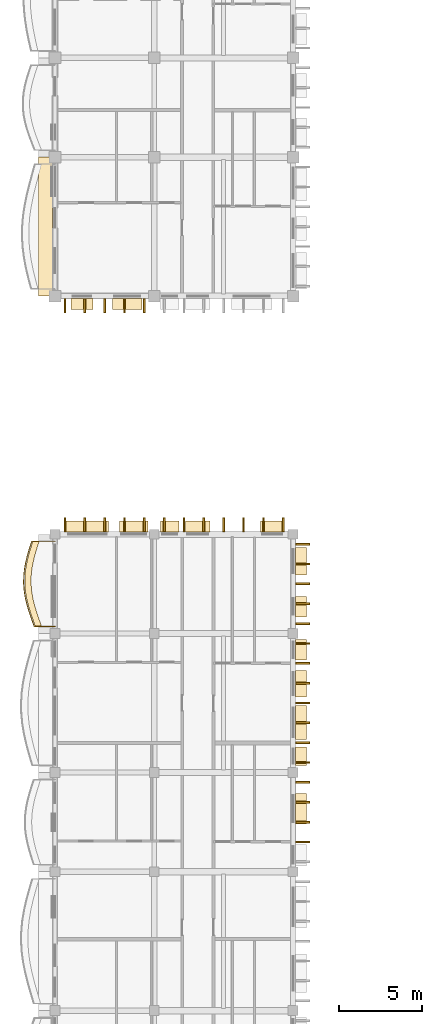
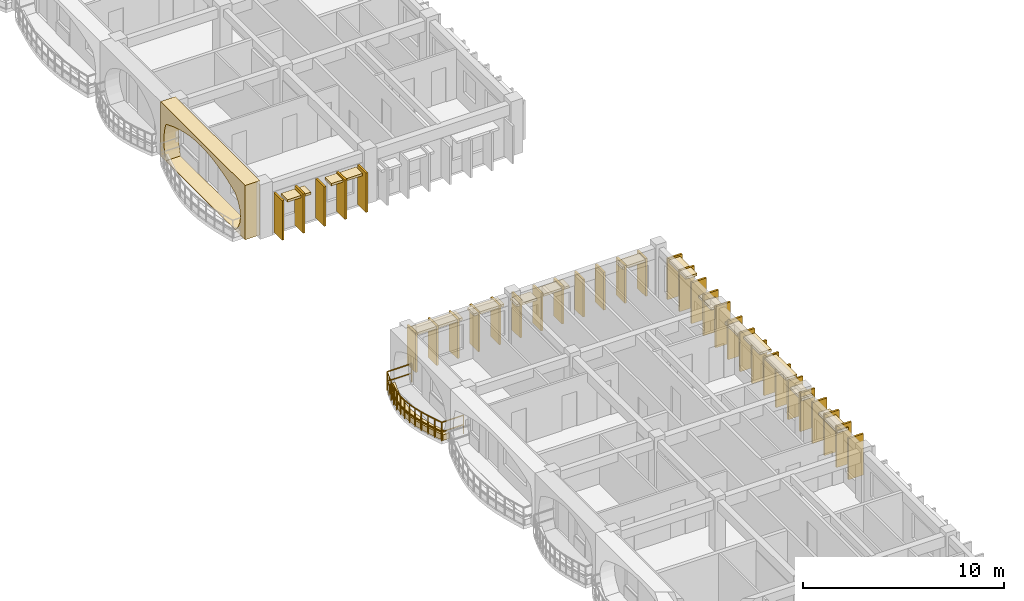
# One storey, part 47 of 70: 49 coverings, 1 railing.
"""IFC4 building model written with IfcOpenShell, lengths in metres."""

from ifc_helpers import new_model, si_unit, direction, frame, origin, origin_2d, place, context, subcontext, project, spatial, polyline, rectangle, outline, extrude, material, layer, layer_set, type_object, element, save


model = new_model("IFC4")

# Units and contexts
model_context = context("Model", 3, precision=1e-05, world=origin(), true_north=direction((0.0, 1.0)))
body_context = subcontext(model_context, "Body", "Model", "MODEL_VIEW")
ifc_project = project(units=[si_unit("LENGTHUNIT", "METRE"), si_unit("AREAUNIT", "SQUARE_METRE"), si_unit("VOLUMEUNIT", "CUBIC_METRE"), si_unit("PLANEANGLEUNIT", "RADIAN"), si_unit("MASSUNIT", "GRAM", prefix="KILO"), si_unit("THERMODYNAMICTEMPERATUREUNIT", "KELVIN")], contexts=[model_context])

# Site, building, storey
site_placement = place(None, origin())
site = spatial("IfcSite", under=ifc_project, at=site_placement, CompositionType="ELEMENT")
building_placement = place(site_placement, origin())
building = spatial("IfcBuilding", under=site, at=building_placement, Name="Thalorik Housing Commons", CompositionType="ELEMENT")
storey_placement = place(building_placement, frame((0.0, 0.0, 14.699951171875)))
storey = spatial("IfcBuildingStorey", under=building, at=storey_placement, Name="L04", CompositionType="ELEMENT", Elevation=14.699951171875)

# Coverings
ifc_material_1 = material(Name="Precast concrete C40/50", Category="concrete")
ifc_layer_1 = layer(ifc_material_1, 0.85009765625, Name="Precast concrete C40/50", Category="concrete")
ifc_layer_set_1 = layer_set([ifc_layer_1], Name="Precast concrete C40/50")
covering_type_1 = type_object("IfcCoveringType", Name="ARC-CLD-CUSH-850", PredefinedType="CLADDING", material=ifc_layer_set_1)
covering_1_placement = place(storey_placement, frame((7.81494140625, 76.199951171875, 0.0), z_axis=(0.0, 0.0, 1.0), x_axis=(0.0, -1.0, 0.0)))
element("IfcCovering", 1, at=covering_1_placement, inside=storey, type_object=covering_type_1, Name="L04 White Precast Curved Cushion Bay Frame 450", PredefinedType="CLADDING", context=body_context, shape_type="SweptSolid", body=[
    extrude(outline(polyline([(-4.199951171875, 0.0), (4.199951171875, 0.0), (4.199951171875, 3.300048828125), (-4.199951171875, 3.300048828125), (-4.199951171875, 0.0)]), holes=[polyline([(3.239990234375, 0.02490234375), (3.523193359375, 0.394287109375), (3.693359375, 0.76318359375), (3.75, 1.132568359375), (3.693359375, 1.501708984375), (3.523193359375, 1.870849609375), (3.239990234375, 2.239990234375), (2.664306640625, 2.4833984375), (2.08837890625, 2.6748046875), (1.512451171875, 2.82958984375), (0.936767578125, 2.94482421875), (0.36083984375, 3.01611328125), (-0.215087890625, 3.0400390625), (-0.790771484375, 3.01611328125), (-1.36669921875, 2.94482421875), (-1.9423828125, 2.82958984375), (-2.518310546875, 2.6748046875), (-3.09423828125, 2.4833984375), (-3.669921875, 2.239990234375), (-3.781982421875, 1.870849609375), (-3.84912109375, 1.501708984375), (-3.871337890625, 1.132568359375), (-3.84912109375, 0.76318359375), (-3.781982421875, 0.394287109375), (-3.669921875, 0.02490234375), (3.239990234375, 0.02490234375)])]), frame((0.0, 0.425048828125, 0.0), z_axis=(0.0, -1.0, 0.0), x_axis=(1.0, 0.0, 0.0)), (0.0, 0.0, 1.0), 0.85009765625),
])
ifc_layer_2 = layer(ifc_material_1, 0.85009765625, Name="Precast concrete C40/50", Category="concrete")
ifc_layer_set_2 = layer_set([ifc_layer_2], Name="Precast concrete C40/50")
covering_type_2 = type_object("IfcCoveringType", Name="ARC-CLD-FIN-850", PredefinedType="CLADDING", material=ifc_layer_set_2)
for number, where, z_axis, x_axis, name in (
    (2, (9.0, 71.4150390625, 0.0400390625), (0.0, 0.0, 1.0), (1.0, 0.0, 0.0), "L04 Courtyard Precast Vertical Brise-Soleil Fin 452"),
    (3, (10.199951171875, 71.4150390625, 0.0400390625), (0.0, 0.0, 1.0), (1.0, 0.0, 0.0), "L04 Courtyard Precast Vertical Brise-Soleil Fin 453"),
    (4, (11.39990234375, 71.4150390625, 0.0400390625), (0.0, 0.0, 1.0), (1.0, 0.0, 0.0), "L04 Courtyard Precast Vertical Brise-Soleil Fin 454"),
    (5, (12.60009765625, 71.4150390625, 0.0400390625), (0.0, 0.0, 1.0), (1.0, 0.0, 0.0), "L04 Courtyard Precast Vertical Brise-Soleil Fin 455"),
    (6, (13.800048828125, 71.4150390625, 0.0400390625), (0.0, 0.0, 1.0), (1.0, 0.0, 0.0), "L04 Courtyard Precast Vertical Brise-Soleil Fin 456"),
):
    element("IfcCovering", number, at=place(storey_placement, frame(where, z_axis=z_axis, x_axis=x_axis)), inside=storey, type_object=covering_type_2, Name=name, PredefinedType="CLADDING", context=body_context, shape_type="SweptSolid", body=[
        extrude(rectangle(XDim=0.110107421875, YDim=0.85009765625, at=origin_2d()), origin(), (0.0, 0.0, 1.0), 2.39501953125),
    ])
for number, where, z_axis, x_axis, name in (
    (7, (23.3701171875, 39.0, 0.0400390625), (0.0, 0.0, 1.0), (0.0, 1.0, 0.0), "L04 Courtyard Precast Vertical Brise-Soleil Fin 3791"),
    (8, (23.3701171875, 40.199951171875, 0.0400390625), (0.0, 0.0, 1.0), (0.0, 1.0, 0.0), "L04 Courtyard Precast Vertical Brise-Soleil Fin 3792"),
    (9, (23.3701171875, 41.39990234375, 0.0400390625), (0.0, 0.0, 1.0), (0.0, 1.0, 0.0), "L04 Courtyard Precast Vertical Brise-Soleil Fin 3793"),
    (10, (23.3701171875, 42.60009765625, 0.0400390625), (0.0, 0.0, 1.0), (0.0, 1.0, 0.0), "L04 Courtyard Precast Vertical Brise-Soleil Fin 3794"),
):
    element("IfcCovering", number, at=place(storey_placement, frame(where, z_axis=z_axis, x_axis=x_axis)), inside=storey, type_object=covering_type_2, Name=name, PredefinedType="CLADDING", context=body_context, shape_type="SweptSolid", body=[
        extrude(rectangle(XDim=0.110107421875, YDim=0.85009765625, at=origin_2d()), origin(), (0.0, 0.0, 1.0), 2.4951171875),
    ])
for number, where, z_axis, x_axis, name in (
    (11, (23.3701171875, 43.800048828125, 0.0400390625), (0.0, 0.0, 1.0), (0.0, 1.0, 0.0), "L04 Courtyard Precast Vertical Brise-Soleil Fin 3797"),
    (12, (23.3701171875, 45.0, 0.0400390625), (0.0, 0.0, 1.0), (0.0, 1.0, 0.0), "L04 Courtyard Precast Vertical Brise-Soleil Fin 3798"),
    (13, (23.3701171875, 46.199951171875, 0.0400390625), (0.0, 0.0, 1.0), (0.0, 1.0, 0.0), "L04 Courtyard Precast Vertical Brise-Soleil Fin 3799"),
    (14, (23.3701171875, 47.39990234375, 0.0400390625), (0.0, 0.0, 1.0), (0.0, 1.0, 0.0), "L04 Courtyard Precast Vertical Brise-Soleil Fin 3800"),
    (15, (23.3701171875, 48.60009765625, 0.0400390625), (0.0, 0.0, 1.0), (0.0, 1.0, 0.0), "L04 Courtyard Precast Vertical Brise-Soleil Fin 3801"),
    (16, (23.3701171875, 49.800048828125, 0.0400390625), (0.0, 0.0, 1.0), (0.0, 1.0, 0.0), "L04 Courtyard Precast Vertical Brise-Soleil Fin 3802"),
    (17, (23.3701171875, 51.0, 0.0400390625), (0.0, 0.0, 1.0), (0.0, 1.0, 0.0), "L04 Courtyard Precast Vertical Brise-Soleil Fin 3803"),
):
    element("IfcCovering", number, at=place(storey_placement, frame(where, z_axis=z_axis, x_axis=x_axis)), inside=storey, type_object=covering_type_2, Name=name, PredefinedType="CLADDING", context=body_context, shape_type="SweptSolid", body=[
        extrude(rectangle(XDim=0.110107421875, YDim=0.85009765625, at=origin_2d()), origin(), (0.0, 0.0, 1.0), 2.344970703125),
    ])
for number, where, z_axis, x_axis, name in (
    (18, (23.3701171875, 52.199951171875, 0.0400390625), (0.0, 0.0, 1.0), (0.0, 1.0, 0.0), "L04 Courtyard Precast Vertical Brise-Soleil Fin 3808"),
    (19, (23.3701171875, 53.39990234375, 0.0400390625), (0.0, 0.0, 1.0), (0.0, 1.0, 0.0), "L04 Courtyard Precast Vertical Brise-Soleil Fin 3809"),
    (20, (23.3701171875, 54.60009765625, 0.0400390625), (0.0, 0.0, 1.0), (0.0, 1.0, 0.0), "L04 Courtyard Precast Vertical Brise-Soleil Fin 3810"),
    (21, (23.3701171875, 55.800048828125, 0.0400390625), (0.0, 0.0, 1.0), (0.0, 1.0, 0.0), "L04 Courtyard Precast Vertical Brise-Soleil Fin 3811"),
    (22, (23.3701171875, 57.0, 0.0400390625), (0.0, 0.0, 1.0), (0.0, 1.0, 0.0), "L04 Courtyard Precast Vertical Brise-Soleil Fin 3812"),
):
    element("IfcCovering", number, at=place(storey_placement, frame(where, z_axis=z_axis, x_axis=x_axis)), inside=storey, type_object=covering_type_2, Name=name, PredefinedType="CLADDING", context=body_context, shape_type="SweptSolid", body=[
        extrude(rectangle(XDim=0.110107421875, YDim=0.85009765625, at=origin_2d()), origin(), (0.0, 0.0, 1.0), 2.4951171875),
    ])
for number, where, z_axis, x_axis, name in (
    (23, (22.199951171875, 58.169921875, 0.0400390625), (0.0, 0.0, 1.0), (-1.0, 0.0, 0.0), "L04 Courtyard Precast Vertical Brise-Soleil Fin 3815"),
    (24, (21.0, 58.169921875, 0.0400390625), (0.0, 0.0, 1.0), (-1.0, 0.0, 0.0), "L04 Courtyard Precast Vertical Brise-Soleil Fin 3816"),
    (25, (19.800048828125, 58.169921875, 0.0400390625), (0.0, 0.0, 1.0), (-1.0, 0.0, 0.0), "L04 Courtyard Precast Vertical Brise-Soleil Fin 3817"),
    (26, (18.60009765625, 58.169921875, 0.0400390625), (0.0, 0.0, 1.0), (-1.0, 0.0, 0.0), "L04 Courtyard Precast Vertical Brise-Soleil Fin 3818"),
    (27, (17.39990234375, 58.169921875, 0.0400390625), (0.0, 0.0, 1.0), (-1.0, 0.0, 0.0), "L04 Courtyard Precast Vertical Brise-Soleil Fin 3819"),
    (28, (16.199951171875, 58.169921875, 0.0400390625), (0.0, 0.0, 1.0), (-1.0, 0.0, 0.0), "L04 Courtyard Precast Vertical Brise-Soleil Fin 3820"),
    (29, (15.0, 58.169921875, 0.0400390625), (0.0, 0.0, 1.0), (-1.0, 0.0, 0.0), "L04 Courtyard Precast Vertical Brise-Soleil Fin 3821"),
):
    element("IfcCovering", number, at=place(storey_placement, frame(where, z_axis=z_axis, x_axis=x_axis)), inside=storey, type_object=covering_type_2, Name=name, PredefinedType="CLADDING", context=body_context, shape_type="SweptSolid", body=[
        extrude(rectangle(XDim=0.110107421875, YDim=0.85009765625, at=origin_2d()), origin(), (0.0, 0.0, 1.0), 2.294921875),
    ])
for number, where, z_axis, x_axis, name in (
    (30, (13.800048828125, 58.169921875, 0.0400390625), (0.0, 0.0, 1.0), (-1.0, 0.0, 0.0), "L04 Courtyard Precast Vertical Brise-Soleil Fin 3825"),
    (31, (12.60009765625, 58.169921875, 0.0400390625), (0.0, 0.0, 1.0), (-1.0, 0.0, 0.0), "L04 Courtyard Precast Vertical Brise-Soleil Fin 3826"),
    (32, (11.39990234375, 58.169921875, 0.0400390625), (0.0, 0.0, 1.0), (-1.0, 0.0, 0.0), "L04 Courtyard Precast Vertical Brise-Soleil Fin 3827"),
    (33, (10.199951171875, 58.169921875, 0.0400390625), (0.0, 0.0, 1.0), (-1.0, 0.0, 0.0), "L04 Courtyard Precast Vertical Brise-Soleil Fin 3828"),
    (34, (9.0, 58.169921875, 0.0400390625), (0.0, 0.0, 1.0), (-1.0, 0.0, 0.0), "L04 Courtyard Precast Vertical Brise-Soleil Fin 3829"),
):
    element("IfcCovering", number, at=place(storey_placement, frame(where, z_axis=z_axis, x_axis=x_axis)), inside=storey, type_object=covering_type_2, Name=name, PredefinedType="CLADDING", context=body_context, shape_type="SweptSolid", body=[
        extrude(rectangle(XDim=0.110107421875, YDim=0.85009765625, at=origin_2d()), origin(), (0.0, 0.0, 1.0), 2.39501953125),
    ])
ifc_layer_3 = layer(ifc_material_1, 0.64990234375, Name="Precast concrete C40/50", Category="concrete")
ifc_layer_set_3 = layer_set([ifc_layer_3], Name="Precast concrete C40/50")
covering_type_3 = type_object("IfcCoveringType", Name="ARC-CLD-HOOD-650", PredefinedType="CLADDING", material=ifc_layer_set_3)
covering_2_placement = place(storey_placement, frame((10.030029296875, 71.514892578125, 2.09033203125), z_axis=(0.0, 0.0, 1.0), x_axis=(1.0, 0.0, 0.0)))
element("IfcCovering", 35, at=covering_2_placement, inside=storey, type_object=covering_type_3, Name="L04 Courtyard Precast Window Sun-Hood 457", PredefinedType="CLADDING", context=body_context, shape_type="SweptSolid", body=[
    extrude(rectangle(XDim=1.340087890625, YDim=0.64990234375, at=origin_2d()), origin(), (0.0, 0.0, 1.0), 0.139892578125),
])
covering_3_placement = place(storey_placement, frame((12.77001953125, 71.514892578125, 2.18994140625), z_axis=(0.0, 0.0, 1.0), x_axis=(1.0, 0.0, 0.0)))
element("IfcCovering", 36, at=covering_3_placement, inside=storey, type_object=covering_type_3, Name="L04 Courtyard Precast Window Sun-Hood 458", PredefinedType="CLADDING", context=body_context, shape_type="SweptSolid", body=[
    extrude(rectangle(XDim=1.7900390625, YDim=0.64990234375, at=origin_2d()), origin(), (0.0, 0.0, 1.0), 0.139892578125),
])
covering_4_placement = place(storey_placement, frame((23.27001953125, 41.011474609375, 2.169921875), z_axis=(0.0, 0.0, 1.0), x_axis=(0.0, 1.0, 0.0)))
element("IfcCovering", 37, at=covering_4_placement, inside=storey, type_object=covering_type_3, Name="L04 Courtyard Precast Window Sun-Hood 3796", PredefinedType="CLADDING", context=body_context, shape_type="SweptSolid", body=[
    extrude(rectangle(XDim=1.860107421875, YDim=0.64990234375, at=origin_2d()), origin(), (0.0, 0.0, 1.0), 0.139892578125),
])
covering_5_placement = place(storey_placement, frame((23.27001953125, 44.18505859375, 1.990234375), z_axis=(0.0, 0.0, 1.0), x_axis=(0.0, 1.0, 0.0)))
element("IfcCovering", 38, at=covering_5_placement, inside=storey, type_object=covering_type_3, Name="L04 Courtyard Precast Window Sun-Hood 3804", PredefinedType="CLADDING", context=body_context, shape_type="SweptSolid", body=[
    extrude(rectangle(XDim=1.139892578125, YDim=0.64990234375, at=origin_2d()), origin(), (0.0, 0.0, 1.0), 0.139892578125),
])
covering_6_placement = place(storey_placement, frame((23.27001953125, 46.22216796875, 2.27490234375), z_axis=(0.0, 0.0, 1.0), x_axis=(0.0, 1.0, 0.0)))
element("IfcCovering", 39, at=covering_6_placement, inside=storey, type_object=covering_type_3, Name="L04 Courtyard Precast Window Sun-Hood 3805", PredefinedType="CLADDING", context=body_context, shape_type="SweptSolid", body=[
    extrude(rectangle(XDim=2.0400390625, YDim=0.64990234375, at=origin_2d()), origin(), (0.0, 0.0, 1.0), 0.139892578125),
])
covering_7_placement = place(storey_placement, frame((23.27001953125, 48.566650390625, 2.27001953125), z_axis=(0.0, 0.0, 1.0), x_axis=(0.0, 1.0, 0.0)))
element("IfcCovering", 40, at=covering_7_placement, inside=storey, type_object=covering_type_3, Name="L04 Courtyard Precast Window Sun-Hood 3806", PredefinedType="CLADDING", context=body_context, shape_type="SweptSolid", body=[
    extrude(rectangle(XDim=1.6201171875, YDim=0.64990234375, at=origin_2d()), origin(), (0.0, 0.0, 1.0), 0.139892578125),
])
for number, where, z_axis, x_axis, name in (
    (41, (23.27001953125, 50.609375, 2.0400390625), (0.0, 0.0, 1.0), (0.0, 1.0, 0.0), "L04 Courtyard Precast Window Sun-Hood 3807"),
    (42, (23.27001953125, 53.22998046875, 2.0400390625), (0.0, 0.0, 1.0), (0.0, 1.0, 0.0), "L04 Courtyard Precast Window Sun-Hood 3813"),
):
    element("IfcCovering", number, at=place(storey_placement, frame(where, z_axis=z_axis, x_axis=x_axis)), inside=storey, type_object=covering_type_3, Name=name, PredefinedType="CLADDING", context=body_context, shape_type="SweptSolid", body=[
        extrude(rectangle(XDim=1.239990234375, YDim=0.64990234375, at=origin_2d()), origin(), (0.0, 0.0, 1.0), 0.139892578125),
    ])
covering_8_placement = place(storey_placement, frame((23.27001953125, 55.969970703125, 2.39013671875), z_axis=(0.0, 0.0, 1.0), x_axis=(0.0, 1.0, 0.0)))
element("IfcCovering", 43, at=covering_8_placement, inside=storey, type_object=covering_type_3, Name="L04 Courtyard Precast Window Sun-Hood 3814", PredefinedType="CLADDING", context=body_context, shape_type="SweptSolid", body=[
    extrude(rectangle(XDim=1.68994140625, YDim=0.64990234375, at=origin_2d()), origin(), (0.0, 0.0, 1.0), 0.139892578125),
])
covering_9_placement = place(storey_placement, frame((21.53271484375, 58.070068359375, 2.14013671875), z_axis=(0.0, 0.0, 1.0), x_axis=(-1.0, 0.0, 0.0)))
element("IfcCovering", 44, at=covering_9_placement, inside=storey, type_object=covering_type_3, Name="L04 Courtyard Precast Window Sun-Hood 3822", PredefinedType="CLADDING", context=body_context, shape_type="SweptSolid", body=[
    extrude(rectangle(XDim=1.43994140625, YDim=0.64990234375, at=origin_2d()), origin(), (0.0, 0.0, 1.0), 0.139892578125),
])
covering_10_placement = place(storey_placement, frame((17.030029296875, 58.070068359375, 2.09033203125), z_axis=(0.0, 0.0, 1.0), x_axis=(-1.0, 0.0, 0.0)))
element("IfcCovering", 45, at=covering_10_placement, inside=storey, type_object=covering_type_3, Name="L04 Courtyard Precast Window Sun-Hood 3823", PredefinedType="CLADDING", context=body_context, shape_type="SweptSolid", body=[
    extrude(rectangle(XDim=1.489990234375, YDim=0.64990234375, at=origin_2d()), origin(), (0.0, 0.0, 1.0), 0.139892578125),
])
covering_11_placement = place(storey_placement, frame((15.3349609375, 58.070068359375, 1.990234375), z_axis=(0.0, 0.0, 1.0), x_axis=(-1.0, 0.0, 0.0)))
element("IfcCovering", 46, at=covering_11_placement, inside=storey, type_object=covering_type_3, Name="L04 Courtyard Precast Window Sun-Hood 3824", PredefinedType="CLADDING", context=body_context, shape_type="SweptSolid", body=[
    extrude(rectangle(XDim=1.139892578125, YDim=0.64990234375, at=origin_2d()), origin(), (0.0, 0.0, 1.0), 0.139892578125),
])
covering_12_placement = place(storey_placement, frame((13.163818359375, 58.070068359375, 2.2900390625), z_axis=(0.0, 0.0, 1.0), x_axis=(-1.0, 0.0, 0.0)))
element("IfcCovering", 47, at=covering_12_placement, inside=storey, type_object=covering_type_3, Name="L04 Courtyard Precast Window Sun-Hood 3830", PredefinedType="CLADDING", context=body_context, shape_type="SweptSolid", body=[
    extrude(rectangle(XDim=1.739990234375, YDim=0.64990234375, at=origin_2d()), origin(), (0.0, 0.0, 1.0), 0.139892578125),
])
covering_13_placement = place(storey_placement, frame((10.353759765625, 58.070068359375, 2.2900390625), z_axis=(0.0, 0.0, 1.0), x_axis=(-1.0, 0.0, 0.0)))
element("IfcCovering", 48, at=covering_13_placement, inside=storey, type_object=covering_type_3, Name="L04 Courtyard Precast Window Sun-Hood 3831", PredefinedType="CLADDING", context=body_context, shape_type="SweptSolid", body=[
    extrude(rectangle(XDim=2.56005859375, YDim=0.64990234375, at=origin_2d()), origin(), (0.0, 0.0, 1.0), 0.139892578125),
])
ifc_material_2 = material(Name="Planted vegetated substrate and terracotta trough", Category="masonry")
ifc_layer_4 = layer(ifc_material_2, 0.340087890625, Name="Planted vegetated substrate and terracotta trough", Category="masonry")
ifc_layer_set_4 = layer_set([ifc_layer_4], Name="Planted vegetated substrate and terracotta trough")
covering_type_4 = type_object("IfcCoveringType", Name="ARC-COV-PLANTER", PredefinedType="USERDEFINED", material=ifc_layer_set_4)
covering_14_placement = place(storey_placement, origin())
element("IfcCovering", 49, at=covering_14_placement, inside=storey, type_object=covering_type_4, Name="L04 Balcony Slab-Edge Planted Trough 5591", ObjectType="PLANTER", PredefinedType="USERDEFINED", context=body_context, shape_type="SweptSolid", body=[
    extrude(outline(polyline([(7.061279296875, 57.179931640625), (6.924560546875, 56.75), (6.79931640625, 56.320068359375), (6.694580078125, 55.889892578125), (6.618408203125, 55.4599609375), (6.576904296875, 55.030029296875), (6.572998046875, 54.60009765625), (6.608154296875, 54.169921875), (6.68017578125, 53.739990234375), (6.7841796875, 53.31005859375), (6.913818359375, 52.8798828125), (7.060302734375, 52.449951171875), (7.213134765625, 52.02001953125), (7.59326171875, 52.02001953125), (7.440185546875, 52.449951171875), (7.2939453125, 52.8798828125), (7.164306640625, 53.31005859375), (7.06005859375, 53.739990234375), (6.98828125, 54.169921875), (6.953125, 54.60009765625), (6.956787109375, 55.030029296875), (6.998291015625, 55.4599609375), (7.074462890625, 55.889892578125), (7.17919921875, 56.320068359375), (7.304443359375, 56.75), (7.44140625, 57.179931640625), (7.061279296875, 57.179931640625)])), origin(), (0.0, 0.0, 1.0), 0.340087890625),
])

# Railing
ifc_material_3 = material(Name="Steel S355", Category="steel")
railing_type = type_object("IfcRailingType", Name="ARC-RL-BAL-115", PredefinedType="BALUSTRADE", material=ifc_material_3)
railing_placement = place(storey_placement, frame((8.39990234375, 57.179931640625, 0.0)))
element("IfcRailing", 50, at=railing_placement, inside=storey, type_object=railing_type, Name="L04 Cushion Balcony Guardrail 275", PredefinedType="BALUSTRADE", context=body_context, shape_type="SweptSolid", body=[
    extrude(rectangle(XDim=0.050048828125, YDim=0.050048828125, at=origin_2d()), frame((0.0, 0.0, 1.125), z_axis=(-1.0, 0.0, 0.0), x_axis=(0.0, -1.0, 0.0)), (0.0, 0.0, 1.0), 1.40869140625),
    extrude(rectangle(XDim=0.050048828125, YDim=0.050048828125, at=origin_2d()), frame((0.0, 0.0, 0.5498046875), z_axis=(-1.0, 0.0, 0.0), x_axis=(0.0, -1.0, 0.0)), (0.0, 0.0, 1.0), 1.40869140625),
    extrude(rectangle(XDim=0.050048828125, YDim=0.050048828125, at=origin_2d()), frame((-1.40869140625, 0.0, 1.125), z_axis=(-0.30304729671, -0.952975516976, 0.0), x_axis=(0.952975516976, -0.30304729671, 0.0)), (0.0, 0.0, 1.0), 0.451171875),
    extrude(rectangle(XDim=0.050048828125, YDim=0.050048828125, at=origin_2d()), frame((-1.40869140625, 0.0, 0.5498046875), z_axis=(-0.30304729671, -0.952975516976, 0.0), x_axis=(0.952975516976, -0.30304729671, 0.0)), (0.0, 0.0, 1.0), 0.451171875),
    extrude(rectangle(XDim=0.050048828125, YDim=0.050048828125, at=origin_2d()), frame((-1.54541015625, -0.429931640625, 1.125), z_axis=(-0.27968595167, -0.960091541697, 0.0), x_axis=(0.960091541697, -0.27968595167, 0.0)), (0.0, 0.0, 1.0), 0.44775390625),
    extrude(rectangle(XDim=0.050048828125, YDim=0.050048828125, at=origin_2d()), frame((-1.54541015625, -0.429931640625, 0.5498046875), z_axis=(-0.27968595167, -0.960091541697, 0.0), x_axis=(0.960091541697, -0.27968595167, 0.0)), (0.0, 0.0, 1.0), 0.44775390625),
    extrude(rectangle(XDim=0.050048828125, YDim=0.050048828125, at=origin_2d()), frame((-1.670654296875, -0.85986328125, 1.125), z_axis=(-0.236562637415, -0.971616240385, 0.0), x_axis=(0.971616240385, -0.236562637415, 0.0)), (0.0, 0.0, 1.0), 0.442626953125),
    extrude(rectangle(XDim=0.050048828125, YDim=0.050048828125, at=origin_2d()), frame((-1.670654296875, -0.85986328125, 0.5498046875), z_axis=(-0.236562637415, -0.971616240385, 0.0), x_axis=(0.971616240385, -0.236562637415, 0.0)), (0.0, 0.0, 1.0), 0.442626953125),
    extrude(rectangle(XDim=0.050048828125, YDim=0.050048828125, at=origin_2d()), frame((-1.775390625, -1.2900390625, 1.125), z_axis=(-0.174455149241, -0.984665121198, 0.0), x_axis=(0.984665121198, -0.174455149241, 0.0)), (0.0, 0.0, 1.0), 0.4365234375),
    extrude(rectangle(XDim=0.050048828125, YDim=0.050048828125, at=origin_2d()), frame((-1.775390625, -1.2900390625, 0.5498046875), z_axis=(-0.174455149241, -0.984665121198, 0.0), x_axis=(0.984665121198, -0.174455149241, 0.0)), (0.0, 0.0, 1.0), 0.4365234375),
    extrude(rectangle(XDim=0.050048828125, YDim=0.050048828125, at=origin_2d()), frame((-1.8515625, -1.719970703125, 1.125), z_axis=(-0.096089358877, -0.995372711657, 0.0), x_axis=(0.995372711657, -0.096089358877, 0.0)), (0.0, 0.0, 1.0), 0.431884765625),
    extrude(rectangle(XDim=0.050048828125, YDim=0.050048828125, at=origin_2d()), frame((-1.8515625, -1.719970703125, 0.5498046875), z_axis=(-0.096089358877, -0.995372711657, 0.0), x_axis=(0.995372711657, -0.096089358877, 0.0)), (0.0, 0.0, 1.0), 0.431884765625),
    extrude(rectangle(XDim=0.050048828125, YDim=0.050048828125, at=origin_2d()), frame((-1.89306640625, -2.14990234375, 1.125), z_axis=(-0.008517578576, -0.99996372477, 0.0), x_axis=(0.99996372477, -0.008517578576, 0.0)), (0.0, 0.0, 1.0), 0.429931640625),
    extrude(rectangle(XDim=0.050048828125, YDim=0.050048828125, at=origin_2d()), frame((-1.89306640625, -2.14990234375, 0.5498046875), z_axis=(-0.008517578576, -0.99996372477, 0.0), x_axis=(0.99996372477, -0.008517578576, 0.0)), (0.0, 0.0, 1.0), 0.429931640625),
    extrude(rectangle(XDim=0.050048828125, YDim=0.050048828125, at=origin_2d()), frame((-1.896728515625, -2.579833984375, 1.125), z_axis=(0.080891812107, -0.996722887634, 0.0), x_axis=(0.996722887634, 0.080891812107, 0.0)), (0.0, 0.0, 1.0), 0.431640625),
    extrude(rectangle(XDim=0.050048828125, YDim=0.050048828125, at=origin_2d()), frame((-1.896728515625, -2.579833984375, 0.5498046875), z_axis=(0.080891812107, -0.996722887634, 0.0), x_axis=(0.996722887634, 0.080891812107, 0.0)), (0.0, 0.0, 1.0), 0.431640625),
    extrude(rectangle(XDim=0.050048828125, YDim=0.050048828125, at=origin_2d()), frame((-1.86181640625, -3.010009765625, 1.125), z_axis=(0.165216308844, -0.986257355507, 0.0), x_axis=(0.986257355507, 0.165216308844, 0.0)), (0.0, 0.0, 1.0), 0.43603515625),
    extrude(rectangle(XDim=0.050048828125, YDim=0.050048828125, at=origin_2d()), frame((-1.86181640625, -3.010009765625, 0.5498046875), z_axis=(0.165216308844, -0.986257355507, 0.0), x_axis=(0.986257355507, 0.165216308844, 0.0)), (0.0, 0.0, 1.0), 0.43603515625),
    extrude(rectangle(XDim=0.050048828125, YDim=0.050048828125, at=origin_2d()), frame((-1.789794921875, -3.43994140625, 1.125), z_axis=(0.235647410319, -0.971838617266, 0.0), x_axis=(0.971838617266, 0.235647410319, 0.0)), (0.0, 0.0, 1.0), 0.4423828125),
    extrude(rectangle(XDim=0.050048828125, YDim=0.050048828125, at=origin_2d()), frame((-1.789794921875, -3.43994140625, 0.5498046875), z_axis=(0.235647410319, -0.971838617266, 0.0), x_axis=(0.971838617266, 0.235647410319, 0.0)), (0.0, 0.0, 1.0), 0.4423828125),
    extrude(rectangle(XDim=0.050048828125, YDim=0.050048828125, at=origin_2d()), frame((-1.685546875, -3.869873046875, 1.125), z_axis=(0.288544133191, -0.957466596389, 0.0), x_axis=(0.957466596389, 0.288544133191, 0.0)), (0.0, 0.0, 1.0), 0.44921875),
    extrude(rectangle(XDim=0.050048828125, YDim=0.050048828125, at=origin_2d()), frame((-1.685546875, -3.869873046875, 0.5498046875), z_axis=(0.288544133191, -0.957466596389, 0.0), x_axis=(0.957466596389, 0.288544133191, 0.0)), (0.0, 0.0, 1.0), 0.44921875),
    extrude(rectangle(XDim=0.050048828125, YDim=0.050048828125, at=origin_2d()), frame((-1.555908203125, -4.300048828125, 1.125), z_axis=(0.322028024828, -0.94673013643, 0.0), x_axis=(0.94673013643, 0.322028024828, 0.0)), (0.0, 0.0, 1.0), 0.4541015625),
    extrude(rectangle(XDim=0.050048828125, YDim=0.050048828125, at=origin_2d()), frame((-1.555908203125, -4.300048828125, 0.5498046875), z_axis=(0.322028024828, -0.94673013643, 0.0), x_axis=(0.94673013643, 0.322028024828, 0.0)), (0.0, 0.0, 1.0), 0.4541015625),
    extrude(rectangle(XDim=0.050048828125, YDim=0.050048828125, at=origin_2d()), frame((-1.40966796875, -4.72998046875, 1.125), z_axis=(0.335421235199, -0.942068253885, 0.0), x_axis=(0.942068253885, 0.335421235199, 0.0)), (0.0, 0.0, 1.0), 0.456298828125),
    extrude(rectangle(XDim=0.050048828125, YDim=0.050048828125, at=origin_2d()), frame((-1.40966796875, -4.72998046875, 0.5498046875), z_axis=(0.335421235199, -0.942068253885, 0.0), x_axis=(0.942068253885, 0.335421235199, 0.0)), (0.0, 0.0, 1.0), 0.456298828125),
    extrude(rectangle(XDim=0.050048828125, YDim=0.050048828125, at=origin_2d()), frame((-1.256591796875, -5.159912109375, 1.125), z_axis=(1.0, 0.0, 0.0), x_axis=(0.0, 1.0, 0.0)), (0.0, 0.0, 1.0), 1.256591796875),
    extrude(rectangle(XDim=0.050048828125, YDim=0.050048828125, at=origin_2d()), frame((-1.256591796875, -5.159912109375, 0.5498046875), z_axis=(1.0, 0.0, 0.0), x_axis=(0.0, 1.0, 0.0)), (0.0, 0.0, 1.0), 1.256591796875),
    extrude(rectangle(XDim=0.0419921875, YDim=0.0419921875, at=origin_2d()), origin(), (0.0, 0.0, 1.0), 1.099853515625),
    extrude(rectangle(XDim=0.0419921875, YDim=0.0419921875, at=origin_2d()), frame((-1.40869140625, 0.0, 0.0)), (0.0, 0.0, 1.0), 1.099853515625),
    extrude(rectangle(XDim=0.0419921875, YDim=0.0419921875, at=origin_2d()), frame((-1.54541015625, -0.429931640625, 0.0)), (0.0, 0.0, 1.0), 1.099853515625),
    extrude(rectangle(XDim=0.0419921875, YDim=0.0419921875, at=origin_2d()), frame((-1.670654296875, -0.85986328125, 0.0)), (0.0, 0.0, 1.0), 1.099853515625),
    extrude(rectangle(XDim=0.0419921875, YDim=0.0419921875, at=origin_2d()), frame((-1.775390625, -1.2900390625, 0.0)), (0.0, 0.0, 1.0), 1.099853515625),
    extrude(rectangle(XDim=0.0419921875, YDim=0.0419921875, at=origin_2d()), frame((-1.8515625, -1.719970703125, 0.0)), (0.0, 0.0, 1.0), 1.099853515625),
    extrude(rectangle(XDim=0.0419921875, YDim=0.0419921875, at=origin_2d()), frame((-1.89306640625, -2.14990234375, 0.0)), (0.0, 0.0, 1.0), 1.099853515625),
    extrude(rectangle(XDim=0.0419921875, YDim=0.0419921875, at=origin_2d()), frame((-1.896728515625, -2.579833984375, 0.0)), (0.0, 0.0, 1.0), 1.099853515625),
    extrude(rectangle(XDim=0.0419921875, YDim=0.0419921875, at=origin_2d()), frame((-1.86181640625, -3.010009765625, 0.0)), (0.0, 0.0, 1.0), 1.099853515625),
    extrude(rectangle(XDim=0.0419921875, YDim=0.0419921875, at=origin_2d()), frame((-1.789794921875, -3.43994140625, 0.0)), (0.0, 0.0, 1.0), 1.099853515625),
    extrude(rectangle(XDim=0.0419921875, YDim=0.0419921875, at=origin_2d()), frame((-1.685546875, -3.869873046875, 0.0)), (0.0, 0.0, 1.0), 1.099853515625),
    extrude(rectangle(XDim=0.0419921875, YDim=0.0419921875, at=origin_2d()), frame((-1.555908203125, -4.300048828125, 0.0)), (0.0, 0.0, 1.0), 1.099853515625),
    extrude(rectangle(XDim=0.0419921875, YDim=0.0419921875, at=origin_2d()), frame((-1.40966796875, -4.72998046875, 0.0)), (0.0, 0.0, 1.0), 1.099853515625),
    extrude(rectangle(XDim=0.0419921875, YDim=0.0419921875, at=origin_2d()), frame((-1.256591796875, -5.159912109375, 0.0)), (0.0, 0.0, 1.0), 1.099853515625),
    extrude(rectangle(XDim=0.0419921875, YDim=0.0419921875, at=origin_2d()), frame((0.0, -5.159912109375, 0.0)), (0.0, 0.0, 1.0), 1.099853515625),
])

save(model, "model.ifc")
